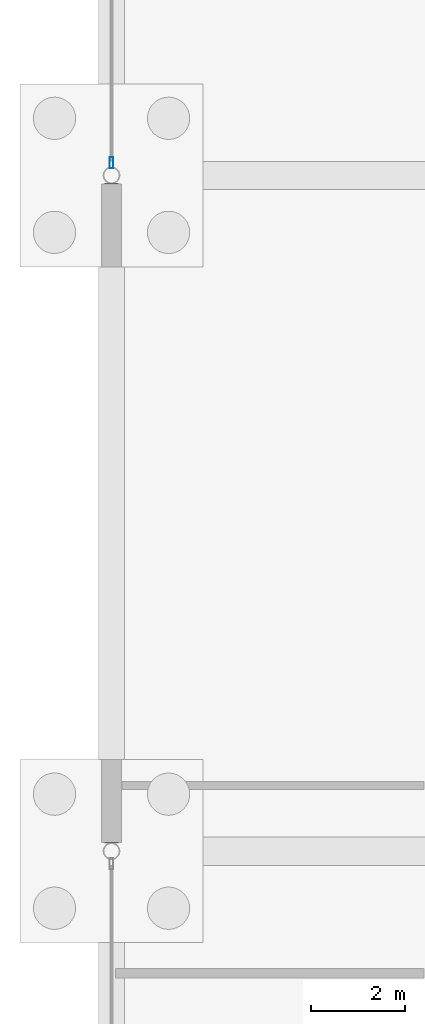
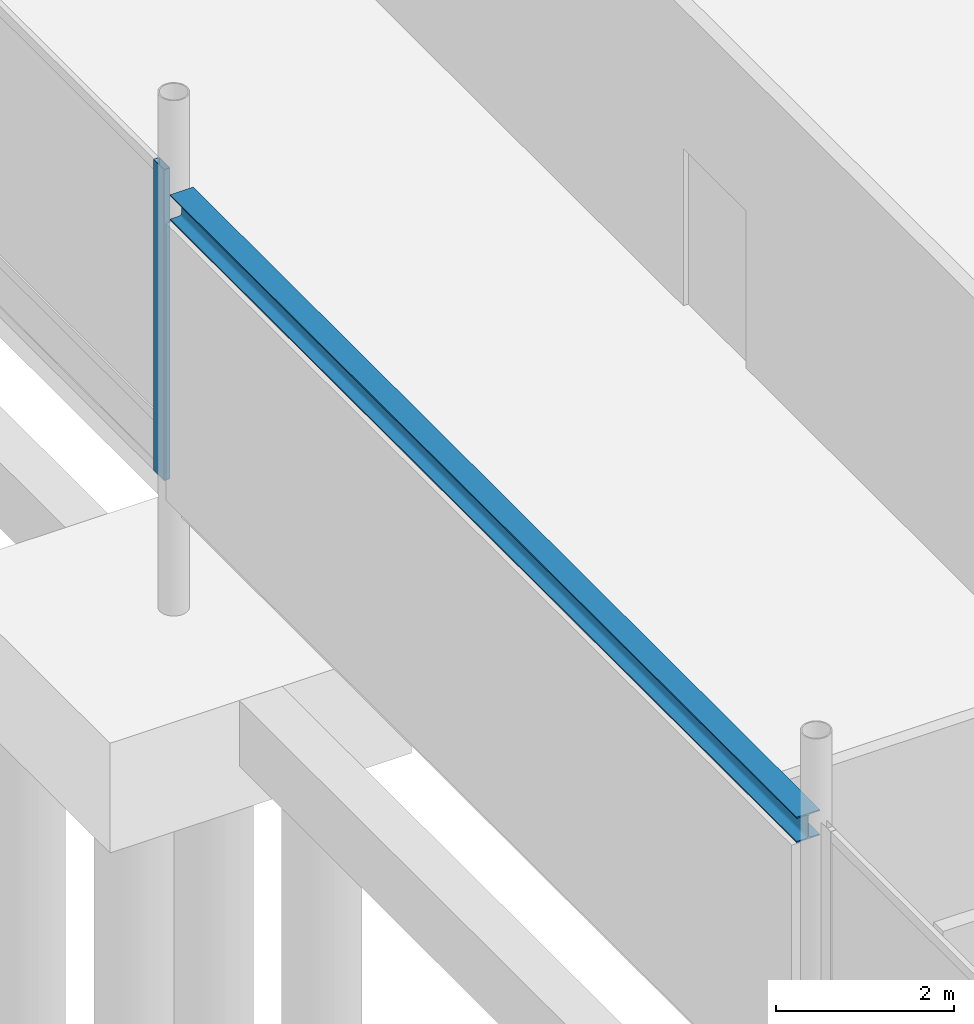
# One storey, part 63 of 192: 1 beam, 1 member, 1 element without a shape of its own.
"""IFC4 building model written with IfcOpenShell, lengths in metres."""

from ifc_helpers import new_model, si_unit, direction, frame, origin, origin_2d, place, context, subcontext, project, spatial, hollow_rectangle, i_section, extrude, material, material_profile, profile_set, type_object, element, aggregate, save


model = new_model("IFC4")

# Units and contexts
model_context = context("Model", 3, precision=1e-05, world=origin(), true_north=direction((0.0, 1.0)))
body_context = subcontext(model_context, "Body", "Model", "MODEL_VIEW")
ifc_project = project(units=[si_unit("LENGTHUNIT", "METRE"), si_unit("AREAUNIT", "SQUARE_METRE"), si_unit("VOLUMEUNIT", "CUBIC_METRE"), si_unit("PLANEANGLEUNIT", "RADIAN"), si_unit("MASSUNIT", "GRAM", prefix="KILO")], contexts=[model_context])

# Site, building, storey
site_placement = place(None, origin())
site = spatial("IfcSite", under=ifc_project, at=site_placement, CompositionType="ELEMENT")
building_placement = place(site_placement, origin())
building = spatial("IfcBuilding", under=site, at=building_placement, Name="Cendralis Lancet Convention Centre", CompositionType="ELEMENT")
storey_placement = place(building_placement, origin())
storey = spatial("IfcBuildingStorey", under=building, at=storey_placement, Name="L00", CompositionType="ELEMENT", Elevation=0.0)

# Curtain wall, member
ifc_material_1 = material(Name="Anodised bronze architectural aluminium", Category="aluminium")
curtain_wall_type = type_object("IfcCurtainWallType", Name="ARC-CW-GB01", PredefinedType="USERDEFINED", material=ifc_material_1)
curtain_wall_placement = place(storey_placement, origin())
curtain_wall = element("IfcCurtainWall", 1, at=curtain_wall_placement, inside=storey, type_object=curtain_wall_type, Name="L00 Curtain Wall CW-GB1 #094", ObjectType="CURTAIN WALL", PredefinedType="USERDEFINED")
ifc_material_profile_1 = material_profile(ifc_material_1, hollow_rectangle(XDim=0.080078125, YDim=0.239990234375, WallThickness=0.0048828125, at=origin_2d()), Name="AL-MULL 80x240x5.0")
ifc_profile_set_1 = profile_set([ifc_material_profile_1], Name="Anodised bronze architectural aluminium")
member_type = type_object("IfcMemberType", Name="ARC-CW-ML03", PredefinedType="MULLION", material=ifc_profile_set_1)
member_placement = place(storey_placement, frame((0.0, 108.267822265625, 0.0), z_axis=(0.0, 0.0, 1.0), x_axis=(1.0, 0.0, 0.0)))
member = element("IfcMember", 2, at=member_placement, type_object=member_type, Name="Mullion CW2-CW-GB1-L00-094-M0", PredefinedType="MULLION", context=body_context, shape_type="SweptSolid", body=[
    extrude(hollow_rectangle(XDim=0.080078125, YDim=0.239990234375, WallThickness=0.0048828125, at=origin_2d()), origin(), (0.0, 0.0, 1.0), 4.2548828125),
])
aggregate(curtain_wall, [member])

# Beam
ifc_material_2 = material(Name="Steel S355", Category="steel")
ifc_material_profile_2 = material_profile(ifc_material_2, i_section(OverallWidth=0.300048828125, OverallDepth=0.35009765625, WebThickness=0.010009765625, FlangeThickness=0.017578125, FilletRadius=0.027099609375, at=origin_2d()), Name="HEA 360")
ifc_profile_set_2 = profile_set([ifc_material_profile_2], Name="Steel S355")
beam_type = type_object("IfcBeamType", Name="STR-LN-LN03", PredefinedType="LINTEL", material=ifc_profile_set_2)
beam_placement = place(storey_placement, frame((0.0, 93.77783203125, 3.97509765625), z_axis=(0.0, 1.0, 0.0), x_axis=(-1.0, 0.0, 0.0)))
element("IfcBeam", 3, at=beam_placement, inside=storey, type_object=beam_type, Name="L00 Beam LN03 #1303", PredefinedType="LINTEL", context=body_context, shape_type="SweptSolid", body=[
    extrude(i_section(OverallWidth=0.300048828125, OverallDepth=0.35009765625, WebThickness=0.010009765625, FlangeThickness=0.017578125, FilletRadius=0.027099609375, at=origin_2d()), origin(), (0.0, 0.0, 1.0), 14.04443359375),
])

save(model, "model.ifc")
